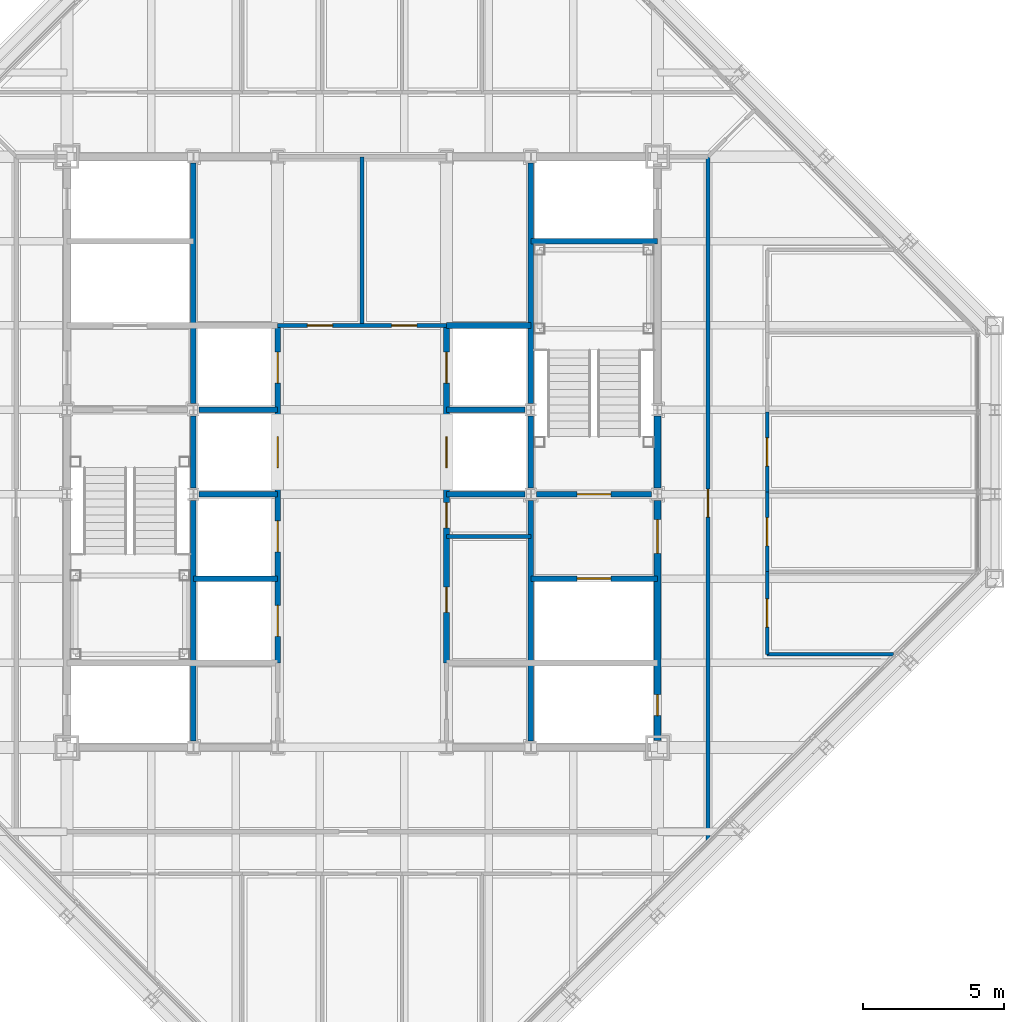
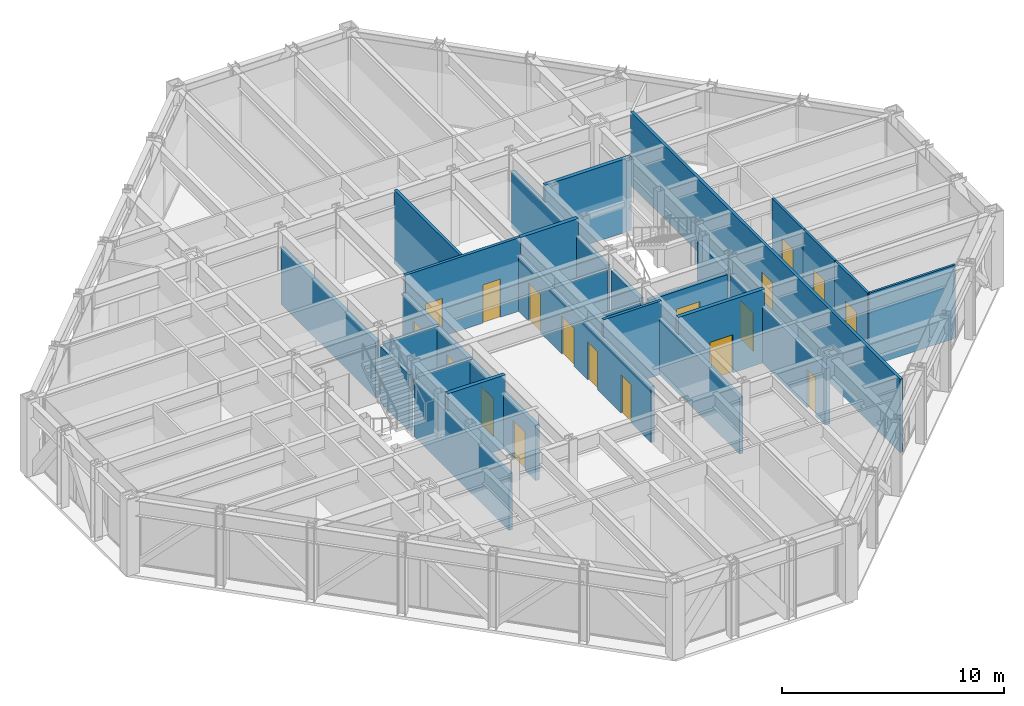
# One storey, part 11 of 15: 27 walls, 18 doors, 18 openings.
"""IFC4 building model written with IfcOpenShell, lengths in metres."""

from ifc_helpers import new_model, si_unit, direction, frame, frame_2d, origin, place, context, subcontext, project, spatial, rectangle, extrude, material, layer, layer_set, type_object, element, fill, save


model = new_model("IFC4")

# Units and contexts
model_context = context("Model", 3, precision=1e-05, world=origin(), true_north=direction((0.0, 1.0)))
body_context = subcontext(model_context, "Body", "Model", "MODEL_VIEW")
ifc_project = project(units=[si_unit("LENGTHUNIT", "METRE"), si_unit("AREAUNIT", "SQUARE_METRE"), si_unit("VOLUMEUNIT", "CUBIC_METRE"), si_unit("PLANEANGLEUNIT", "RADIAN"), si_unit("MASSUNIT", "GRAM", prefix="KILO")], contexts=[model_context])

# Site, building, storey
site_placement = place(None, origin())
site = spatial("IfcSite", under=ifc_project, at=site_placement, CompositionType="ELEMENT")
building_placement = place(site_placement, origin())
building = spatial("IfcBuilding", under=site, at=building_placement, Name="Chuquiago Exchange Tower", CompositionType="ELEMENT")
storey_placement = place(building_placement, frame((0.0, 0.0, 295.800048828125)))
storey = spatial("IfcBuildingStorey", under=building, at=storey_placement, Name="L66", CompositionType="ELEMENT", Elevation=295.800048828125)

# Wall, openings, doors
ifc_material_1 = material(Name="Concrete masonry, fully grouted", Category="masonry")
ifc_layer_1 = layer(ifc_material_1, 0.25)
ifc_layer_set_1 = layer_set([ifc_layer_1], Name="W1 core wall 250")
wall_type_1 = type_object("IfcWallType", Name="W1 core wall 250", PredefinedType="SOLIDWALL", material=ifc_layer_set_1)
wall_1_placement = place(storey_placement, frame((33.0, 12.25, 0.0), z_axis=(0.0, 0.0, 1.0), x_axis=(0.0, 1.0, 0.0)))
wall_1 = element("IfcWall", 1, at=wall_1_placement, inside=storey, type_object=wall_type_1, Name="CW-L66-25-0", PredefinedType="SOLIDWALL", context=body_context, shape_type="SweptSolid", body=[
    extrude(rectangle(XDim=8.527587890625, YDim=0.25, at=frame_2d((4.263671875, 0.0))), origin(), (0.0, 0.0, 1.0), 3.11279296875),
])
opening_1_placement = place(wall_1_placement, frame((6.64990234375, 0.0, 0.0)))
opening_1 = element("IfcOpeningElement", 2, at=opening_1_placement, cuts=wall_1, Name="Opening L66-004", PredefinedType="OPENING", context=body_context, shape_type="SweptSolid", body=[
    extrude(rectangle(XDim=1.199951171875, YDim=2.10009765625, at=frame_2d((0.60009765625, 1.050048828125))), frame((0.0, 0.135009765625, 0.0), z_axis=(0.0, -1.0, 0.0), x_axis=(1.0, 0.0, 0.0)), (0.0, 0.0, 1.0), 0.27001953125),
])
opening_2_placement = place(wall_1_placement, frame((0.875, 0.0, 0.0)))
opening_2 = element("IfcOpeningElement", 3, at=opening_2_placement, cuts=wall_1, Name="Opening L66-009", PredefinedType="OPENING", context=body_context, shape_type="SweptSolid", body=[
    extrude(rectangle(XDim=0.75, YDim=2.10009765625, at=frame_2d((0.375, 1.050048828125))), frame((0.0, 0.135009765625, 0.0), z_axis=(0.0, -1.0, 0.0), x_axis=(1.0, 0.0, 0.0)), (0.0, 0.0, 1.0), 0.27001953125),
])
ifc_material_2 = material(Name="Steel door, painted", Category="steel")
door_type_1 = type_object("IfcDoorType", Name="D5 firefighting lobby door 1200x2100", OperationType="SINGLE_SWING_LEFT", PredefinedType="DOOR", material=ifc_material_2)
door_1_placement = place(opening_1_placement, origin())
door_1 = element("IfcDoor", 4, at=door_1_placement, inside=storey, type_object=door_type_1, Name="Firefighting lobby 2 door", OperationType="SINGLE_SWING_RIGHT", OverallHeight=2.10009765625, OverallWidth=1.199951171875, PredefinedType="DOOR", context=body_context, shape_type="SweptSolid", body=[
    extrude(rectangle(XDim=1.199951171875, YDim=2.10009765625, at=frame_2d((0.60009765625, 1.050048828125))), frame((0.0, 0.02490234375, 0.0), z_axis=(0.0, -1.0, 0.0), x_axis=(1.0, 0.0, 0.0)), (0.0, 0.0, 1.0), 0.050048828125),
])
fill(opening_1, door_1)
ifc_material_3 = material(Name="Steel door, painted", Category="steel")
door_type_2 = type_object("IfcDoorType", Name="D6 riser access door 750x2100", OperationType="SINGLE_SWING_LEFT", PredefinedType="DOOR", material=ifc_material_3)
door_2_placement = place(opening_2_placement, origin())
door_2 = element("IfcDoor", 5, at=door_2_placement, inside=storey, type_object=door_type_2, Name="Riser RE1 door", OperationType="SINGLE_SWING_LEFT", OverallHeight=2.10009765625, OverallWidth=0.75, PredefinedType="DOOR", context=body_context, shape_type="SweptSolid", body=[
    extrude(rectangle(XDim=0.75, YDim=2.10009765625, at=frame_2d((0.375, 1.050048828125))), frame((0.0, 0.02490234375, 0.0), z_axis=(0.0, -1.0, 0.0), x_axis=(1.0, 0.0, 0.0)), (0.0, 0.0, 1.0), 0.050048828125),
])
fill(opening_2, door_2)

# Wall
wall_2_placement = place(storey_placement, frame((33.0, 21.222412109375, 0.0), z_axis=(0.0, 0.0, 1.0), x_axis=(0.0, 1.0, 0.0)))
element("IfcWall", 6, at=wall_2_placement, inside=storey, type_object=wall_type_1, Name="CW-L66-25-1", PredefinedType="SOLIDWALL", context=body_context, shape_type="SweptSolid", body=[
    extrude(rectangle(XDim=2.55517578125, YDim=0.25, at=frame_2d((1.277587890625, 0.0))), origin(), (0.0, 0.0, 1.0), 3.11279296875),
])

# Wall, opening, door
ifc_material_4 = material(Name="Gypsum board on steel studs, acoustic insulation", Category="steel")
ifc_layer_2 = layer(ifc_material_4, 0.14990234375)
ifc_layer_set_2 = layer_set([ifc_layer_2], Name="W11 corridor wall 150")
wall_type_2 = type_object("IfcWallType", Name="W11 corridor wall 150", PredefinedType="PARTITIONING", material=ifc_layer_set_2)
wall_3_placement = place(storey_placement, frame((34.800048828125, 8.685546875, 0.0), z_axis=(0.0, 0.0, 1.0), x_axis=(0.0, 1.0, 0.0)))
wall_3 = element("IfcWall", 7, at=wall_3_placement, inside=storey, type_object=wall_type_2, Name="PW-L66-GE0", PredefinedType="PARTITIONING", context=body_context, shape_type="SweptSolid", body=[
    extrude(rectangle(XDim=24.314453125, YDim=0.14990234375, at=frame_2d((12.1572265625, 0.0))), origin(), (0.0, 0.0, 1.0), 4.0400390625),
])
opening_3_placement = place(wall_3_placement, frame((11.5, 0.0, 0.0)))
opening_3 = element("IfcOpeningElement", 8, at=opening_3_placement, cuts=wall_3, Name="Opening L66-045", PredefinedType="OPENING", context=body_context, shape_type="SweptSolid", body=[
    extrude(rectangle(XDim=1.0, YDim=2.39990234375, at=frame_2d((0.5, 1.199951171875))), frame((0.0, 0.0849609375, 0.0), z_axis=(0.0, -1.0, 0.0), x_axis=(1.0, 0.0, 0.0)), (0.0, 0.0, 1.0), 0.169921875),
])
ifc_material_5 = material(Name="Timber door, laminate faced", Category="wood")
door_type_3 = type_object("IfcDoorType", Name="D9 room door 1000x2400", OperationType="SINGLE_SWING_LEFT", PredefinedType="DOOR", material=ifc_material_5)
door_3_placement = place(opening_3_placement, frame((1.0, 0.0, 0.0), z_axis=(0.0, 0.0, 1.0), x_axis=(-1.0, 0.0, 0.0)))
door_3 = element("IfcDoor", 9, at=door_3_placement, inside=storey, type_object=door_type_3, Name="Team area door", OperationType="SINGLE_SWING_RIGHT", OverallHeight=2.39990234375, OverallWidth=1.0, PredefinedType="DOOR", context=body_context, shape_type="SweptSolid", body=[
    extrude(rectangle(XDim=1.0, YDim=2.39990234375, at=frame_2d((0.5, 1.199951171875))), frame((0.0, 0.02490234375, 0.0), z_axis=(0.0, -1.0, 0.0), x_axis=(1.0, 0.0, 0.0)), (0.0, 0.0, 1.0), 0.050048828125),
])
fill(opening_3, door_3)

# Walls
ifc_material_6 = material(Name="Concrete masonry, fully grouted", Category="masonry")
ifc_layer_3 = layer(ifc_material_6, 0.199951171875)
ifc_layer_set_3 = layer_set([ifc_layer_3], Name="W2 shaft wall 200")
wall_type_3 = type_object("IfcWallType", Name="W2 shaft wall 200", PredefinedType="SOLIDWALL", material=ifc_layer_set_3)
for number, where, z_axis, x_axis, name in (
    (10, (16.708251953125, 24.0, 0.0), (0.0, 0.0, 1.0), (1.0, 0.0, 0.0), "CW-L66-05-1"),
    (11, (25.5, 24.0, 0.0), (0.0, 0.0, 1.0), (1.0, 0.0, 0.0), "CW-L66-06-0"),
):
    element("IfcWall", number, at=place(storey_placement, frame(where, z_axis=z_axis, x_axis=x_axis)), inside=storey, type_object=wall_type_3, Name=name, PredefinedType="SOLIDWALL", context=body_context, shape_type="SweptSolid", body=[
        extrude(rectangle(XDim=2.791748046875, YDim=0.199951171875, at=frame_2d((1.39599609375, 0.0))), origin(), (0.0, 0.0, 1.0), 3.08984375),
    ])
wall_4_placement = place(storey_placement, frame((25.5, 27.0, 0.0), z_axis=(0.0, 0.0, 1.0), x_axis=(1.0, 0.0, 0.0)))
element("IfcWall", 12, at=wall_4_placement, inside=storey, type_object=wall_type_3, Name="CW-L66-08-0", PredefinedType="SOLIDWALL", context=body_context, shape_type="SweptSolid", body=[
    extrude(rectangle(XDim=3.0, YDim=0.199951171875, at=frame_2d((1.5, 0.0))), origin(), (0.0, 0.0, 1.0), 4.0400390625),
])
wall_5_placement = place(storey_placement, frame((28.5, 30.0, 0.0), z_axis=(0.0, 0.0, 1.0), x_axis=(1.0, 0.0, 0.0)))
element("IfcWall", 13, at=wall_5_placement, inside=storey, type_object=wall_type_3, Name="CW-L66-10-0", PredefinedType="SOLIDWALL", context=body_context, shape_type="SweptSolid", body=[
    extrude(rectangle(XDim=4.5, YDim=0.199951171875, at=frame_2d((2.25, 0.0))), origin(), (0.0, 0.0, 1.0), 4.0400390625),
])
wall_6_placement = place(storey_placement, frame((16.5, 12.222412109375, 0.0), z_axis=(0.0, 0.0, 1.0), x_axis=(0.0, 1.0, 0.0)))
element("IfcWall", 14, at=wall_6_placement, inside=storey, type_object=wall_type_3, Name="CW-L66-13-0", PredefinedType="SOLIDWALL", context=body_context, shape_type="SweptSolid", body=[
    extrude(rectangle(XDim=8.55517578125, YDim=0.199951171875, at=frame_2d((4.277587890625, 0.0))), origin(), (0.0, 0.0, 1.0), 3.11279296875),
])
wall_7_placement = place(storey_placement, frame((16.5, 21.222412109375, 0.0), z_axis=(0.0, 0.0, 1.0), x_axis=(0.0, 1.0, 0.0)))
element("IfcWall", 15, at=wall_7_placement, inside=storey, type_object=wall_type_3, Name="CW-L66-13-1", PredefinedType="SOLIDWALL", context=body_context, shape_type="SweptSolid", body=[
    extrude(rectangle(XDim=2.55517578125, YDim=0.199951171875, at=frame_2d((1.277587890625, 0.0))), origin(), (0.0, 0.0, 1.0), 3.11279296875),
])
wall_8_placement = place(storey_placement, frame((16.5, 24.222412109375, 0.0), z_axis=(0.0, 0.0, 1.0), x_axis=(0.0, 1.0, 0.0)))
element("IfcWall", 16, at=wall_8_placement, inside=storey, type_object=wall_type_3, Name="CW-L66-13-2", PredefinedType="SOLIDWALL", context=body_context, shape_type="SweptSolid", body=[
    extrude(rectangle(XDim=8.55517578125, YDim=0.199951171875, at=frame_2d((4.277587890625, 0.0))), origin(), (0.0, 0.0, 1.0), 3.11279296875),
])
wall_9_placement = place(storey_placement, frame((16.5, 18.0, 0.0), z_axis=(0.0, 0.0, 1.0), x_axis=(1.0, 0.0, 0.0)))
element("IfcWall", 17, at=wall_9_placement, inside=storey, type_object=wall_type_3, Name="CW-L66-14-0", PredefinedType="SOLIDWALL", context=body_context, shape_type="SweptSolid", body=[
    extrude(rectangle(XDim=3.0, YDim=0.199951171875, at=frame_2d((1.5, 0.0))), origin(), (0.0, 0.0, 1.0), 4.0400390625),
])

# Wall, opening, door
wall_10_placement = place(storey_placement, frame((28.5, 18.0, 0.0), z_axis=(0.0, 0.0, 1.0), x_axis=(1.0, 0.0, 0.0)))
wall_10 = element("IfcWall", 18, at=wall_10_placement, inside=storey, type_object=wall_type_3, Name="CW-L66-15-0", PredefinedType="SOLIDWALL", context=body_context, shape_type="SweptSolid", body=[
    extrude(rectangle(XDim=4.5, YDim=0.199951171875, at=frame_2d((2.25, 0.0))), origin(), (0.0, 0.0, 1.0), 4.0400390625),
])
opening_4_placement = place(wall_10_placement, frame((1.64990234375, 0.0, 0.0)))
opening_4 = element("IfcOpeningElement", 19, at=opening_4_placement, cuts=wall_10, Name="Opening L66-006", PredefinedType="OPENING", context=body_context, shape_type="SweptSolid", body=[
    extrude(rectangle(XDim=1.199951171875, YDim=2.10009765625, at=frame_2d((0.60009765625, 1.050048828125))), frame((0.0, 0.10986328125, 0.0), z_axis=(0.0, -1.0, 0.0), x_axis=(1.0, 0.0, 0.0)), (0.0, 0.0, 1.0), 0.219970703125),
])
ifc_material_7 = material(Name="Stainless steel lift landing door", Category="steel")
door_type_4 = type_object("IfcDoorType", Name="LD2 firefighting lift landing door 1200x2100", OperationType="DOUBLE_DOOR_SLIDING", PredefinedType="DOOR", material=ifc_material_7)
door_4_placement = place(opening_4_placement, origin())
door_4 = element("IfcDoor", 20, at=door_4_placement, inside=storey, type_object=door_type_4, Name="Firefighting lift FL2 landing door", OperationType="DOUBLE_DOOR_SLIDING", OverallHeight=2.10009765625, OverallWidth=1.199951171875, PredefinedType="DOOR", context=body_context, shape_type="SweptSolid", body=[
    extrude(rectangle(XDim=1.199951171875, YDim=2.10009765625, at=frame_2d((0.60009765625, 1.050048828125))), frame((0.0, 0.02490234375, 0.0), z_axis=(0.0, -1.0, 0.0), x_axis=(1.0, 0.0, 0.0)), (0.0, 0.0, 1.0), 0.050048828125),
])
fill(opening_4, door_4)

# Walls
for number, where, z_axis, x_axis, name in (
    (21, (16.708251953125, 21.0, 0.0), (0.0, 0.0, 1.0), (1.0, 0.0, 0.0), "CW-L66-16-0"),
    (22, (25.5, 21.0, 0.0), (0.0, 0.0, 1.0), (1.0, 0.0, 0.0), "CW-L66-17-0"),
):
    element("IfcWall", number, at=place(storey_placement, frame(where, z_axis=z_axis, x_axis=x_axis)), inside=storey, type_object=wall_type_3, Name=name, PredefinedType="SOLIDWALL", context=body_context, shape_type="SweptSolid", body=[
        extrude(rectangle(XDim=2.791748046875, YDim=0.199951171875, at=frame_2d((1.39599609375, 0.0))), origin(), (0.0, 0.0, 1.0), 3.08984375),
    ])

# Wall, opening, door
wall_11_placement = place(storey_placement, frame((28.708251953125, 21.0, 0.0), z_axis=(0.0, 0.0, 1.0), x_axis=(1.0, 0.0, 0.0)))
wall_11 = element("IfcWall", 23, at=wall_11_placement, inside=storey, type_object=wall_type_3, Name="CW-L66-17-1", PredefinedType="SOLIDWALL", context=body_context, shape_type="SweptSolid", body=[
    extrude(rectangle(XDim=4.08349609375, YDim=0.199951171875, at=frame_2d((2.041748046875, 0.0))), origin(), (0.0, 0.0, 1.0), 3.08984375),
])
opening_5_placement = place(wall_11_placement, frame((1.441650390625, 0.0, 0.0)))
opening_5 = element("IfcOpeningElement", 24, at=opening_5_placement, cuts=wall_11, Name="Opening L66-003", PredefinedType="OPENING", context=body_context, shape_type="SweptSolid", body=[
    extrude(rectangle(XDim=1.199951171875, YDim=2.10009765625, at=frame_2d((0.60009765625, 1.050048828125))), frame((0.0, 0.10986328125, 0.0), z_axis=(0.0, -1.0, 0.0), x_axis=(1.0, 0.0, 0.0)), (0.0, 0.0, 1.0), 0.219970703125),
])
ifc_material_8 = material(Name="Steel door, painted", Category="steel")
door_type_5 = type_object("IfcDoorType", Name="D4 stair door 1200x2100", OperationType="SINGLE_SWING_LEFT", PredefinedType="DOOR", material=ifc_material_8)
door_5_placement = place(opening_5_placement, origin())
door_5 = element("IfcDoor", 25, at=door_5_placement, inside=storey, type_object=door_type_5, Name="Stair ST2 door", OperationType="SINGLE_SWING_RIGHT", OverallHeight=2.10009765625, OverallWidth=1.199951171875, PredefinedType="DOOR", context=body_context, shape_type="SweptSolid", body=[
    extrude(rectangle(XDim=1.199951171875, YDim=2.10009765625, at=frame_2d((0.60009765625, 1.050048828125))), frame((0.0, 0.02490234375, 0.0), z_axis=(0.0, -1.0, 0.0), x_axis=(1.0, 0.0, 0.0)), (0.0, 0.0, 1.0), 0.050048828125),
])
fill(opening_5, door_5)

# Wall, openings, doors
wall_12_placement = place(storey_placement, frame((19.5, 15.0, 0.0), z_axis=(0.0, 0.0, 1.0), x_axis=(0.0, 1.0, 0.0)))
wall_12 = element("IfcWall", 26, at=wall_12_placement, inside=storey, type_object=wall_type_3, Name="CW-L66-19-0", PredefinedType="SOLIDWALL", context=body_context, shape_type="SweptSolid", body=[
    extrude(rectangle(XDim=12.0, YDim=0.199951171875, at=frame_2d((6.0, 0.0))), origin(), (0.0, 0.0, 1.0), 3.064453125),
])
opening_6_placement = place(wall_12_placement, frame((0.949951171875, 0.0, 0.0)))
opening_6 = element("IfcOpeningElement", 27, at=opening_6_placement, cuts=wall_12, Name="Opening L66-017", PredefinedType="OPENING", context=body_context, shape_type="SweptSolid", body=[
    extrude(rectangle(XDim=1.10009765625, YDim=2.10009765625, at=frame_2d((0.550048828125, 1.050048828125))), frame((0.0, 0.10986328125, 0.0), z_axis=(0.0, -1.0, 0.0), x_axis=(1.0, 0.0, 0.0)), (0.0, 0.0, 1.0), 0.219970703125),
])
opening_7_placement = place(wall_12_placement, frame((3.949951171875, 0.0, 0.0)))
opening_7 = element("IfcOpeningElement", 28, at=opening_7_placement, cuts=wall_12, Name="Opening L66-018", PredefinedType="OPENING", context=body_context, shape_type="SweptSolid", body=[
    extrude(rectangle(XDim=1.10009765625, YDim=2.10009765625, at=frame_2d((0.550048828125, 1.050048828125))), frame((0.0, 0.10986328125, 0.0), z_axis=(0.0, -1.0, 0.0), x_axis=(1.0, 0.0, 0.0)), (0.0, 0.0, 1.0), 0.219970703125),
])
opening_8_placement = place(wall_12_placement, frame((6.949951171875, 0.0, 0.0)))
opening_8 = element("IfcOpeningElement", 29, at=opening_8_placement, cuts=wall_12, Name="Opening L66-019", PredefinedType="OPENING", context=body_context, shape_type="SweptSolid", body=[
    extrude(rectangle(XDim=1.10009765625, YDim=2.10009765625, at=frame_2d((0.550048828125, 1.050048828125))), frame((0.0, 0.10986328125, 0.0), z_axis=(0.0, -1.0, 0.0), x_axis=(1.0, 0.0, 0.0)), (0.0, 0.0, 1.0), 0.219970703125),
])
opening_9_placement = place(wall_12_placement, frame((9.949951171875, 0.0, 0.0)))
opening_9 = element("IfcOpeningElement", 30, at=opening_9_placement, cuts=wall_12, Name="Opening L66-021", PredefinedType="OPENING", context=body_context, shape_type="SweptSolid", body=[
    extrude(rectangle(XDim=1.10009765625, YDim=2.10009765625, at=frame_2d((0.550048828125, 1.050048828125))), frame((0.0, 0.10986328125, 0.0), z_axis=(0.0, -1.0, 0.0), x_axis=(1.0, 0.0, 0.0)), (0.0, 0.0, 1.0), 0.219970703125),
])
ifc_material_9 = material(Name="Stainless steel lift landing door", Category="steel")
door_type_6 = type_object("IfcDoorType", Name="LD1 lift landing door 1100x2100", OperationType="DOUBLE_DOOR_SLIDING", PredefinedType="DOOR", material=ifc_material_9)
door_6_placement = place(opening_6_placement, origin())
door_6 = element("IfcDoor", 31, at=door_6_placement, inside=storey, type_object=door_type_6, Name="Lift LD1 landing door", OperationType="DOUBLE_DOOR_SLIDING", OverallHeight=2.10009765625, OverallWidth=1.10009765625, PredefinedType="DOOR", context=body_context, shape_type="SweptSolid", body=[
    extrude(rectangle(XDim=1.10009765625, YDim=2.10009765625, at=frame_2d((0.550048828125, 1.050048828125))), frame((0.0, 0.02490234375, 0.0), z_axis=(0.0, -1.0, 0.0), x_axis=(1.0, 0.0, 0.0)), (0.0, 0.0, 1.0), 0.050048828125),
])
fill(opening_6, door_6)
door_7_placement = place(opening_7_placement, origin())
door_7 = element("IfcDoor", 32, at=door_7_placement, inside=storey, type_object=door_type_6, Name="Lift LD2 landing door", OperationType="DOUBLE_DOOR_SLIDING", OverallHeight=2.10009765625, OverallWidth=1.10009765625, PredefinedType="DOOR", context=body_context, shape_type="SweptSolid", body=[
    extrude(rectangle(XDim=1.10009765625, YDim=2.10009765625, at=frame_2d((0.550048828125, 1.050048828125))), frame((0.0, 0.02490234375, 0.0), z_axis=(0.0, -1.0, 0.0), x_axis=(1.0, 0.0, 0.0)), (0.0, 0.0, 1.0), 0.050048828125),
])
fill(opening_7, door_7)
door_8_placement = place(opening_8_placement, origin())
door_8 = element("IfcDoor", 33, at=door_8_placement, inside=storey, type_object=door_type_6, Name="Lift LD3 landing door", OperationType="DOUBLE_DOOR_SLIDING", OverallHeight=2.10009765625, OverallWidth=1.10009765625, PredefinedType="DOOR", context=body_context, shape_type="SweptSolid", body=[
    extrude(rectangle(XDim=1.10009765625, YDim=2.10009765625, at=frame_2d((0.550048828125, 1.050048828125))), frame((0.0, 0.02490234375, 0.0), z_axis=(0.0, -1.0, 0.0), x_axis=(1.0, 0.0, 0.0)), (0.0, 0.0, 1.0), 0.050048828125),
])
fill(opening_8, door_8)
door_9_placement = place(opening_9_placement, origin())
door_9 = element("IfcDoor", 34, at=door_9_placement, inside=storey, type_object=door_type_6, Name="Lift LD4 landing door", OperationType="DOUBLE_DOOR_SLIDING", OverallHeight=2.10009765625, OverallWidth=1.10009765625, PredefinedType="DOOR", context=body_context, shape_type="SweptSolid", body=[
    extrude(rectangle(XDim=1.10009765625, YDim=2.10009765625, at=frame_2d((0.550048828125, 1.050048828125))), frame((0.0, 0.02490234375, 0.0), z_axis=(0.0, -1.0, 0.0), x_axis=(1.0, 0.0, 0.0)), (0.0, 0.0, 1.0), 0.050048828125),
])
fill(opening_9, door_9)

wall_13_placement = place(storey_placement, frame((25.5, 15.0, 0.0), z_axis=(0.0, 0.0, 1.0), x_axis=(0.0, 1.0, 0.0)))
wall_13 = element("IfcWall", 35, at=wall_13_placement, inside=storey, type_object=wall_type_3, Name="CW-L66-22-0", PredefinedType="SOLIDWALL", context=body_context, shape_type="SweptSolid", body=[
    extrude(rectangle(XDim=12.0, YDim=0.199951171875, at=frame_2d((6.0, 0.0))), origin(), (0.0, 0.0, 1.0), 3.064453125),
])
opening_10_placement = place(wall_13_placement, frame((1.800048828125, 0.0, 0.0)))
opening_10 = element("IfcOpeningElement", 36, at=opening_10_placement, cuts=wall_13, Name="Opening L66-014", PredefinedType="OPENING", context=body_context, shape_type="SweptSolid", body=[
    extrude(rectangle(XDim=0.89990234375, YDim=2.10009765625, at=frame_2d((0.449951171875, 1.050048828125))), frame((0.0, 0.10986328125, 0.0), z_axis=(0.0, -1.0, 0.0), x_axis=(1.0, 0.0, 0.0)), (0.0, 0.0, 1.0), 0.219970703125),
])
opening_11_placement = place(wall_13_placement, frame((4.800048828125, 0.0, 0.0)))
opening_11 = element("IfcOpeningElement", 37, at=opening_11_placement, cuts=wall_13, Name="Opening L66-015", PredefinedType="OPENING", context=body_context, shape_type="SweptSolid", body=[
    extrude(rectangle(XDim=0.89990234375, YDim=2.10009765625, at=frame_2d((0.449951171875, 1.050048828125))), frame((0.0, 0.10986328125, 0.0), z_axis=(0.0, -1.0, 0.0), x_axis=(1.0, 0.0, 0.0)), (0.0, 0.0, 1.0), 0.219970703125),
])
opening_12_placement = place(wall_13_placement, frame((6.949951171875, 0.0, 0.0)))
opening_12 = element("IfcOpeningElement", 38, at=opening_12_placement, cuts=wall_13, Name="Opening L66-020", PredefinedType="OPENING", context=body_context, shape_type="SweptSolid", body=[
    extrude(rectangle(XDim=1.10009765625, YDim=2.10009765625, at=frame_2d((0.550048828125, 1.050048828125))), frame((0.0, 0.10986328125, 0.0), z_axis=(0.0, -1.0, 0.0), x_axis=(1.0, 0.0, 0.0)), (0.0, 0.0, 1.0), 0.219970703125),
])
opening_13_placement = place(wall_13_placement, frame((9.949951171875, 0.0, 0.0)))
opening_13 = element("IfcOpeningElement", 39, at=opening_13_placement, cuts=wall_13, Name="Opening L66-022", PredefinedType="OPENING", context=body_context, shape_type="SweptSolid", body=[
    extrude(rectangle(XDim=1.10009765625, YDim=2.10009765625, at=frame_2d((0.550048828125, 1.050048828125))), frame((0.0, 0.10986328125, 0.0), z_axis=(0.0, -1.0, 0.0), x_axis=(1.0, 0.0, 0.0)), (0.0, 0.0, 1.0), 0.219970703125),
])
ifc_material_10 = material(Name="Timber door, laminate faced", Category="wood")
door_type_7 = type_object("IfcDoorType", Name="D16 core room door 900x2100", OperationType="SINGLE_SWING_LEFT", PredefinedType="DOOR", material=ifc_material_10)
door_10_placement = place(opening_10_placement, frame((0.89990234375, 0.0, 0.0), z_axis=(0.0, 0.0, 1.0), x_axis=(-1.0, 0.0, 0.0)))
door_10 = element("IfcDoor", 40, at=door_10_placement, inside=storey, type_object=door_type_7, Name="IT equipment room door", OperationType="SINGLE_SWING_RIGHT", OverallHeight=2.10009765625, OverallWidth=0.89990234375, PredefinedType="DOOR", context=body_context, shape_type="SweptSolid", body=[
    extrude(rectangle(XDim=0.89990234375, YDim=2.10009765625, at=frame_2d((0.449951171875, 1.050048828125))), frame((0.0, 0.02490234375, 0.0), z_axis=(0.0, -1.0, 0.0), x_axis=(1.0, 0.0, 0.0)), (0.0, 0.0, 1.0), 0.050048828125),
])
fill(opening_10, door_10)
door_11_placement = place(opening_11_placement, frame((0.89990234375, 0.0, 0.0), z_axis=(0.0, 0.0, 1.0), x_axis=(-1.0, 0.0, 0.0)))
door_11 = element("IfcDoor", 41, at=door_11_placement, inside=storey, type_object=door_type_7, Name="Vending room door", OperationType="SINGLE_SWING_LEFT", OverallHeight=2.10009765625, OverallWidth=0.89990234375, PredefinedType="DOOR", context=body_context, shape_type="SweptSolid", body=[
    extrude(rectangle(XDim=0.89990234375, YDim=2.10009765625, at=frame_2d((0.449951171875, 1.050048828125))), frame((0.0, 0.02490234375, 0.0), z_axis=(0.0, -1.0, 0.0), x_axis=(1.0, 0.0, 0.0)), (0.0, 0.0, 1.0), 0.050048828125),
])
fill(opening_11, door_11)
door_12_placement = place(opening_12_placement, origin())
door_12 = element("IfcDoor", 42, at=door_12_placement, inside=storey, type_object=door_type_6, Name="Lift LS3 landing door", OperationType="DOUBLE_DOOR_SLIDING", OverallHeight=2.10009765625, OverallWidth=1.10009765625, PredefinedType="DOOR", context=body_context, shape_type="SweptSolid", body=[
    extrude(rectangle(XDim=1.10009765625, YDim=2.10009765625, at=frame_2d((0.550048828125, 1.050048828125))), frame((0.0, 0.02490234375, 0.0), z_axis=(0.0, -1.0, 0.0), x_axis=(1.0, 0.0, 0.0)), (0.0, 0.0, 1.0), 0.050048828125),
])
fill(opening_12, door_12)
door_13_placement = place(opening_13_placement, origin())
door_13 = element("IfcDoor", 43, at=door_13_placement, inside=storey, type_object=door_type_6, Name="Lift LS4 landing door", OperationType="DOUBLE_DOOR_SLIDING", OverallHeight=2.10009765625, OverallWidth=1.10009765625, PredefinedType="DOOR", context=body_context, shape_type="SweptSolid", body=[
    extrude(rectangle(XDim=1.10009765625, YDim=2.10009765625, at=frame_2d((0.550048828125, 1.050048828125))), frame((0.0, 0.02490234375, 0.0), z_axis=(0.0, -1.0, 0.0), x_axis=(1.0, 0.0, 0.0)), (0.0, 0.0, 1.0), 0.050048828125),
])
fill(opening_13, door_13)

# Walls
wall_14_placement = place(storey_placement, frame((28.5, 12.222412109375, 0.0), z_axis=(0.0, 0.0, 1.0), x_axis=(0.0, 1.0, 0.0)))
element("IfcWall", 44, at=wall_14_placement, inside=storey, type_object=wall_type_3, Name="CW-L66-24-0", PredefinedType="SOLIDWALL", context=body_context, shape_type="SweptSolid", body=[
    extrude(rectangle(XDim=8.55517578125, YDim=0.199951171875, at=frame_2d((4.277587890625, 0.0))), origin(), (0.0, 0.0, 1.0), 3.11279296875),
])
wall_15_placement = place(storey_placement, frame((28.5, 21.222412109375, 0.0), z_axis=(0.0, 0.0, 1.0), x_axis=(0.0, 1.0, 0.0)))
element("IfcWall", 45, at=wall_15_placement, inside=storey, type_object=wall_type_3, Name="CW-L66-24-1", PredefinedType="SOLIDWALL", context=body_context, shape_type="SweptSolid", body=[
    extrude(rectangle(XDim=2.55517578125, YDim=0.199951171875, at=frame_2d((1.277587890625, 0.0))), origin(), (0.0, 0.0, 1.0), 3.11279296875),
])
wall_16_placement = place(storey_placement, frame((28.5, 24.222412109375, 0.0), z_axis=(0.0, 0.0, 1.0), x_axis=(0.0, 1.0, 0.0)))
element("IfcWall", 46, at=wall_16_placement, inside=storey, type_object=wall_type_3, Name="CW-L66-24-2", PredefinedType="SOLIDWALL", context=body_context, shape_type="SweptSolid", body=[
    extrude(rectangle(XDim=8.55517578125, YDim=0.199951171875, at=frame_2d((4.277587890625, 0.0))), origin(), (0.0, 0.0, 1.0), 3.11279296875),
])

# Wall, openings, doors
ifc_material_11 = material(Name="Gypsum board on steel studs", Category="steel")
ifc_layer_4 = layer(ifc_material_11, 0.14990234375)
ifc_layer_set_4 = layer_set([ifc_layer_4], Name="W3 core partition 150")
wall_type_4 = type_object("IfcWallType", Name="W3 core partition 150", PredefinedType="PARTITIONING", material=ifc_layer_set_4)
wall_17_placement = place(storey_placement, frame((19.5, 27.0, 0.0), z_axis=(0.0, 0.0, 1.0), x_axis=(1.0, 0.0, 0.0)))
wall_17 = element("IfcWall", 47, at=wall_17_placement, inside=storey, type_object=wall_type_4, Name="CW-L66-TF", PredefinedType="PARTITIONING", context=body_context, shape_type="SweptSolid", body=[
    extrude(rectangle(XDim=6.0, YDim=0.14990234375, at=frame_2d((3.0, 0.0))), origin(), (0.0, 0.0, 1.0), 4.0400390625),
])
opening_14_placement = place(wall_17_placement, frame((1.050048828125, 0.0, 0.0)))
opening_14 = element("IfcOpeningElement", 48, at=opening_14_placement, cuts=wall_17, Name="Opening L66-011", PredefinedType="OPENING", context=body_context, shape_type="SweptSolid", body=[
    extrude(rectangle(XDim=0.89990234375, YDim=2.10009765625, at=frame_2d((0.449951171875, 1.050048828125))), frame((0.0, 0.0849609375, 0.0), z_axis=(0.0, -1.0, 0.0), x_axis=(1.0, 0.0, 0.0)), (0.0, 0.0, 1.0), 0.169921875),
])
opening_15_placement = place(wall_17_placement, frame((4.050048828125, 0.0, 0.0)))
opening_15 = element("IfcOpeningElement", 49, at=opening_15_placement, cuts=wall_17, Name="Opening L66-012", PredefinedType="OPENING", context=body_context, shape_type="SweptSolid", body=[
    extrude(rectangle(XDim=0.89990234375, YDim=2.10009765625, at=frame_2d((0.449951171875, 1.050048828125))), frame((0.0, 0.0849609375, 0.0), z_axis=(0.0, -1.0, 0.0), x_axis=(1.0, 0.0, 0.0)), (0.0, 0.0, 1.0), 0.169921875),
])
ifc_material_12 = material(Name="Timber door, laminate faced", Category="wood")
door_type_8 = type_object("IfcDoorType", Name="D7 toilet door 900x2100", OperationType="SINGLE_SWING_LEFT", PredefinedType="DOOR", material=ifc_material_12)
door_14_placement = place(opening_14_placement, origin())
door_14 = element("IfcDoor", 50, at=door_14_placement, inside=storey, type_object=door_type_8, Name="Male WC door", OperationType="SINGLE_SWING_RIGHT", OverallHeight=2.10009765625, OverallWidth=0.89990234375, PredefinedType="DOOR", context=body_context, shape_type="SweptSolid", body=[
    extrude(rectangle(XDim=0.89990234375, YDim=2.10009765625, at=frame_2d((0.449951171875, 1.050048828125))), frame((0.0, 0.02490234375, 0.0), z_axis=(0.0, -1.0, 0.0), x_axis=(1.0, 0.0, 0.0)), (0.0, 0.0, 1.0), 0.050048828125),
])
fill(opening_14, door_14)
door_15_placement = place(opening_15_placement, origin())
door_15 = element("IfcDoor", 51, at=door_15_placement, inside=storey, type_object=door_type_8, Name="Female WC door", OperationType="SINGLE_SWING_LEFT", OverallHeight=2.10009765625, OverallWidth=0.89990234375, PredefinedType="DOOR", context=body_context, shape_type="SweptSolid", body=[
    extrude(rectangle(XDim=0.89990234375, YDim=2.10009765625, at=frame_2d((0.449951171875, 1.050048828125))), frame((0.0, 0.02490234375, 0.0), z_axis=(0.0, -1.0, 0.0), x_axis=(1.0, 0.0, 0.0)), (0.0, 0.0, 1.0), 0.050048828125),
])
fill(opening_15, door_15)

# Walls
wall_18_placement = place(storey_placement, frame((22.5, 27.0, 0.0), z_axis=(0.0, 0.0, 1.0), x_axis=(0.0, 1.0, 0.0)))
element("IfcWall", 52, at=wall_18_placement, inside=storey, type_object=wall_type_4, Name="CW-L66-TM", PredefinedType="PARTITIONING", context=body_context, shape_type="SweptSolid", body=[
    extrude(rectangle(XDim=6.0, YDim=0.14990234375, at=frame_2d((3.0, 0.0))), origin(), (0.0, 0.0, 1.0), 4.0400390625),
])
wall_19_placement = place(storey_placement, frame((25.5, 19.5, 0.0), z_axis=(0.0, 0.0, 1.0), x_axis=(1.0, 0.0, 0.0)))
element("IfcWall", 53, at=wall_19_placement, inside=storey, type_object=wall_type_4, Name="CW-L66-EBR1-N", PredefinedType="PARTITIONING", context=body_context, shape_type="SweptSolid", body=[
    extrude(rectangle(XDim=3.0, YDim=0.14990234375, at=frame_2d((1.5, 0.0))), origin(), (0.0, 0.0, 1.0), 4.0400390625),
])
ifc_material_13 = material(Name="Gypsum board on steel studs", Category="steel")
ifc_layer_5 = layer(ifc_material_13, 0.1201171875)
ifc_layer_set_5 = layer_set([ifc_layer_5], Name="W4 partition 120")
wall_type_5 = type_object("IfcWallType", Name="W4 partition 120", PredefinedType="PARTITIONING", material=ifc_layer_set_5)
wall_20_placement = place(storey_placement, frame((41.392578125, 15.30712890625, 0.0), z_axis=(0.0, 0.0, 1.0), x_axis=(-1.0, 0.0, 0.0)))
element("IfcWall", 54, at=wall_20_placement, inside=storey, type_object=wall_type_5, Name="PW-L66-E01531", PredefinedType="PARTITIONING", context=body_context, shape_type="SweptSolid", body=[
    extrude(rectangle(XDim=4.49267578125, YDim=0.1201171875, at=frame_2d((2.246337890625, 0.0))), origin(), (0.0, 0.0, 1.0), 4.0400390625),
])

# Wall, opening, door
wall_21_placement = place(storey_placement, frame((36.89990234375, 15.30712890625, 0.0), z_axis=(0.0, 0.0, 1.0), x_axis=(0.0, 1.0, 0.0)))
wall_21 = element("IfcWall", 55, at=wall_21_placement, inside=storey, type_object=wall_type_5, Name="PW-L66-EF01531", PredefinedType="PARTITIONING", context=body_context, shape_type="SweptSolid", body=[
    extrude(rectangle(XDim=2.94140625, YDim=0.1201171875, at=frame_2d((1.470703125, 0.0))), origin(), (0.0, 0.0, 1.0), 4.0400390625),
])
opening_16_placement = place(wall_21_placement, frame((0.970703125, 0.0, 0.0)))
opening_16 = element("IfcOpeningElement", 56, at=opening_16_placement, cuts=wall_21, Name="Opening L66-028", PredefinedType="OPENING", context=body_context, shape_type="SweptSolid", body=[
    extrude(rectangle(XDim=1.0, YDim=2.39990234375, at=frame_2d((0.5, 1.199951171875))), frame((0.0, 0.070068359375, 0.0), z_axis=(0.0, -1.0, 0.0), x_axis=(1.0, 0.0, 0.0)), (0.0, 0.0, 1.0), 0.14013671875),
])
door_16_placement = place(opening_16_placement, frame((1.0, 0.0, 0.0), z_axis=(0.0, 0.0, 1.0), x_axis=(-1.0, 0.0, 0.0)))
door_16 = element("IfcDoor", 57, at=door_16_placement, inside=storey, type_object=door_type_3, Name="Office door", OperationType="SINGLE_SWING_LEFT", OverallHeight=2.39990234375, OverallWidth=1.0, PredefinedType="DOOR", context=body_context, shape_type="SweptSolid", body=[
    extrude(rectangle(XDim=1.0, YDim=2.39990234375, at=frame_2d((0.5, 1.199951171875))), frame((0.0, 0.02490234375, 0.0), z_axis=(0.0, -1.0, 0.0), x_axis=(1.0, 0.0, 0.0)), (0.0, 0.0, 1.0), 0.050048828125),
])
fill(opening_16, door_16)

wall_22_placement = place(storey_placement, frame((36.89990234375, 18.24853515625, 0.0), z_axis=(0.0, 0.0, 1.0), x_axis=(0.0, 1.0, 0.0)))
wall_22 = element("IfcWall", 58, at=wall_22_placement, inside=storey, type_object=wall_type_5, Name="PW-L66-EF01825", PredefinedType="PARTITIONING", context=body_context, shape_type="SweptSolid", body=[
    extrude(rectangle(XDim=2.834228515625, YDim=0.1201171875, at=frame_2d((1.4169921875, 0.0))), origin(), (0.0, 0.0, 1.0), 4.0400390625),
])
opening_17_placement = place(wall_22_placement, frame((0.9169921875, 0.0, 0.0)))
opening_17 = element("IfcOpeningElement", 59, at=opening_17_placement, cuts=wall_22, Name="Opening L66-029", PredefinedType="OPENING", context=body_context, shape_type="SweptSolid", body=[
    extrude(rectangle(XDim=1.0, YDim=2.39990234375, at=frame_2d((0.5, 1.199951171875))), frame((0.0, 0.070068359375, 0.0), z_axis=(0.0, -1.0, 0.0), x_axis=(1.0, 0.0, 0.0)), (0.0, 0.0, 1.0), 0.14013671875),
])
door_17_placement = place(opening_17_placement, frame((1.0, 0.0, 0.0), z_axis=(0.0, 0.0, 1.0), x_axis=(-1.0, 0.0, 0.0)))
door_17 = element("IfcDoor", 60, at=door_17_placement, inside=storey, type_object=door_type_3, Name="Executive office door", OperationType="SINGLE_SWING_RIGHT", OverallHeight=2.39990234375, OverallWidth=1.0, PredefinedType="DOOR", context=body_context, shape_type="SweptSolid", body=[
    extrude(rectangle(XDim=1.0, YDim=2.39990234375, at=frame_2d((0.5, 1.199951171875))), frame((0.0, 0.02490234375, 0.0), z_axis=(0.0, -1.0, 0.0), x_axis=(1.0, 0.0, 0.0)), (0.0, 0.0, 1.0), 0.050048828125),
])
fill(opening_17, door_17)

wall_23_placement = place(storey_placement, frame((36.89990234375, 21.082763671875, 0.0), z_axis=(0.0, 0.0, 1.0), x_axis=(0.0, 1.0, 0.0)))
wall_23 = element("IfcWall", 61, at=wall_23_placement, inside=storey, type_object=wall_type_5, Name="PW-L66-EF02108", PredefinedType="PARTITIONING", context=body_context, shape_type="SweptSolid", body=[
    extrude(rectangle(XDim=2.83447265625, YDim=0.1201171875, at=frame_2d((1.417236328125, 0.0))), origin(), (0.0, 0.0, 1.0), 4.0400390625),
])
opening_18_placement = place(wall_23_placement, frame((0.917236328125, 0.0, 0.0)))
opening_18 = element("IfcOpeningElement", 62, at=opening_18_placement, cuts=wall_23, Name="Opening L66-030", PredefinedType="OPENING", context=body_context, shape_type="SweptSolid", body=[
    extrude(rectangle(XDim=1.0, YDim=2.39990234375, at=frame_2d((0.5, 1.199951171875))), frame((0.0, 0.070068359375, 0.0), z_axis=(0.0, -1.0, 0.0), x_axis=(1.0, 0.0, 0.0)), (0.0, 0.0, 1.0), 0.14013671875),
])
door_18_placement = place(opening_18_placement, frame((1.0, 0.0, 0.0), z_axis=(0.0, 0.0, 1.0), x_axis=(-1.0, 0.0, 0.0)))
door_18 = element("IfcDoor", 63, at=door_18_placement, inside=storey, type_object=door_type_3, Name="Executive office door", OperationType="SINGLE_SWING_RIGHT", OverallHeight=2.39990234375, OverallWidth=1.0, PredefinedType="DOOR", context=body_context, shape_type="SweptSolid", body=[
    extrude(rectangle(XDim=1.0, YDim=2.39990234375, at=frame_2d((0.5, 1.199951171875))), frame((0.0, 0.02490234375, 0.0), z_axis=(0.0, -1.0, 0.0), x_axis=(1.0, 0.0, 0.0)), (0.0, 0.0, 1.0), 0.050048828125),
])
fill(opening_18, door_18)

save(model, "model.ifc")
